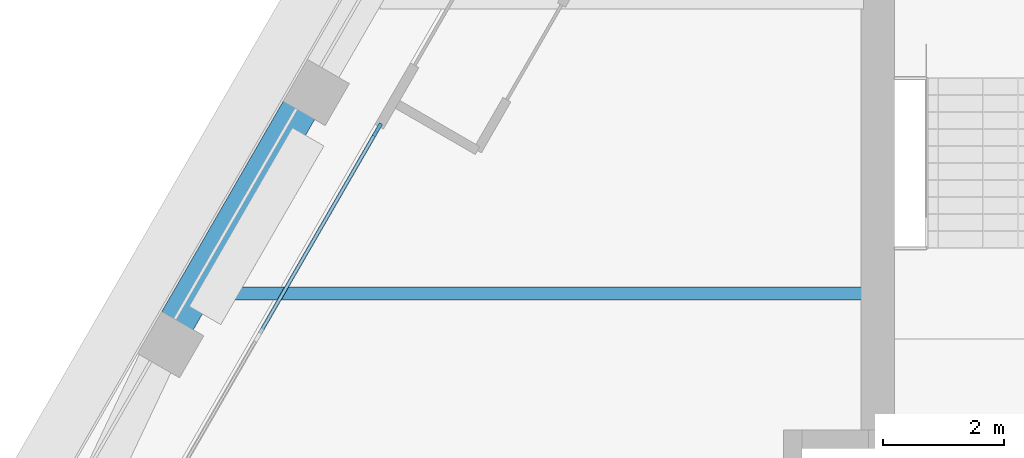
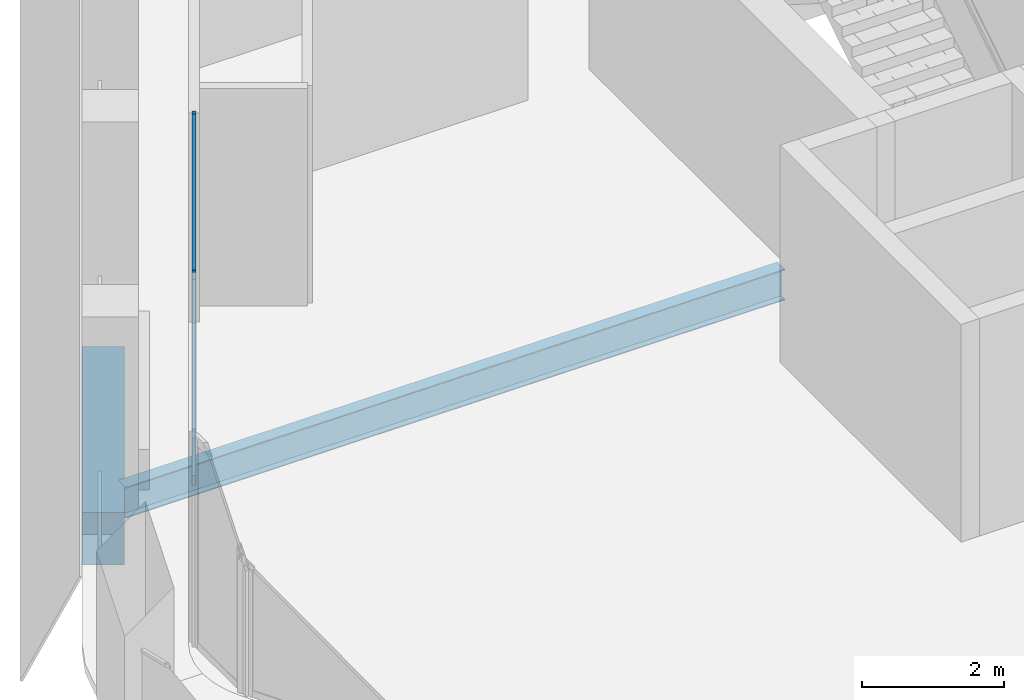
# One storey, part 3 of 14: 3 members, 2 beams, 1 element without a shape of its own.
"""IFC4 building model written with IfcOpenShell, lengths in metres."""

from ifc_helpers import new_model, si_unit, direction, frame, origin, origin_2d, place, context, subcontext, project, spatial, rectangle, i_section, extrude, material, material_profile, profile_set, type_object, element, aggregate, save


model = new_model("IFC4")

# Units and contexts
model_context = context("Model", 3, precision=1e-05, world=origin(), true_north=direction((0.0, 1.0)))
body_context = subcontext(model_context, "Body", "Model", "MODEL_VIEW")
ifc_project = project(units=[si_unit("LENGTHUNIT", "METRE"), si_unit("AREAUNIT", "SQUARE_METRE"), si_unit("VOLUMEUNIT", "CUBIC_METRE"), si_unit("PLANEANGLEUNIT", "RADIAN"), si_unit("MASSUNIT", "GRAM", prefix="KILO")], contexts=[model_context])

# Site, building, storey
site_placement = place(None, origin())
site = spatial("IfcSite", under=ifc_project, at=site_placement, CompositionType="ELEMENT")
building_placement = place(site_placement, origin())
building = spatial("IfcBuilding", under=site, at=building_placement, Name="Kolab Exchange Tower", CompositionType="ELEMENT")
storey_placement = place(building_placement, frame((0.0, 0.0, 281.300048828125)))
storey = spatial("IfcBuildingStorey", under=building, at=storey_placement, Name="L63", CompositionType="ELEMENT", Elevation=281.300048828125)

# Beams
ifc_material_1 = material(Name="Steel S355", Category="steel")
ifc_material_profile_1 = material_profile(ifc_material_1, i_section(OverallWidth=0.208984375, OverallDepth=0.532958984375, WebThickness=0.01025390625, FlangeThickness=0.015625, at=origin_2d()), Name="W530X92")
ifc_profile_set_1 = profile_set([ifc_material_profile_1], Name="Steel S355")
beam_type_1 = type_object("IfcBeamType", Name="FLOOR BEAM W530X92", PredefinedType="BEAM", material=ifc_profile_set_1)
beam_1_placement = place(storey_placement, frame((-20.575927734375, 4.800048828125, -0.41650390625), z_axis=(1.0, 0.0, 0.0), x_axis=(0.0, 1.0, 0.0)))
element("IfcBeam", 1, at=beam_1_placement, inside=storey, type_object=beam_type_1, Name="beam/L63/fr/002", PredefinedType="BEAM", context=body_context, shape_type="SweptSolid", body=[
    extrude(i_section(OverallWidth=0.208984375, OverallDepth=0.532958984375, WebThickness=0.01025390625, FlangeThickness=0.015625, at=origin_2d()), origin(), (0.0, 0.0, 1.0), 10.740966796875),
])
ifc_material_2 = material(Name="Concrete C50/60", Category="concrete")
ifc_material_profile_2 = material_profile(ifc_material_2, rectangle(XDim=0.60009765625, YDim=0.89990234375, at=origin_2d()), Name="RC600X900")
ifc_profile_set_2 = profile_set([ifc_material_profile_2], Name="Concrete C50/60")
beam_type_2 = type_object("IfcBeamType", Name="SPANDREL BEAM 600X900 C50/60", PredefinedType="BEAM", material=ifc_profile_set_2)
beam_2_placement = place(storey_placement, frame((-21.16015625, 4.318603515625, -0.60009765625), z_axis=(0.500000428765, 0.866025156237, 0.0), x_axis=(-0.866025156237, 0.500000428765, 0.0)))
element("IfcBeam", 2, at=beam_2_placement, inside=storey, type_object=beam_type_2, Name="beam/L63/sp/F6-02", PredefinedType="BEAM", context=body_context, shape_type="SweptSolid", body=[
    extrude(rectangle(XDim=0.60009765625, YDim=0.89990234375, at=origin_2d()), origin(), (0.0, 0.0, 1.0), 4.080078125),
])

# Curtain wall, members
ifc_material_3 = material(Name="Aluminium EN AW-6063 T6", Category="aluminium")
curtain_wall_type = type_object("IfcCurtainWallType", Name="UNITISED HIGH ZONE CURTAIN WALL", PredefinedType="NOTDEFINED", material=ifc_material_3)
curtain_wall_placement = place(storey_placement, origin())
curtain_wall = element("IfcCurtainWall", 3, at=curtain_wall_placement, inside=storey, type_object=curtain_wall_type, Name="cw/L63/F6-1", PredefinedType="NOTDEFINED")
ifc_material_profile_3 = material_profile(ifc_material_3, rectangle(XDim=0.06005859375, YDim=0.239990234375, at=origin_2d()), Name="RECT 60X240")
ifc_profile_set_3 = profile_set([ifc_material_profile_3], Name="Aluminium EN AW-6063 T6")
member_type_1 = type_object("IfcMemberType", Name="UNITISED HIGH ZONE MULLION 60 X 240", PredefinedType="MULLION", material=ifc_profile_set_3)
member_1_placement = place(storey_placement, frame((-17.8466796875, 7.497802734375, 0.0), z_axis=(0.0, 0.0, 1.0), x_axis=(-0.866025440524, 0.499999936366, 0.0)))
member_1 = element("IfcMember", 4, at=member_1_placement, type_object=member_type_1, Name="CW4 mullion 3", PredefinedType="MULLION", context=body_context, shape_type="SweptSolid", body=[
    extrude(rectangle(XDim=0.06005859375, YDim=0.239990234375, at=origin_2d()), origin(), (0.0, 0.0, 1.0), 3.599853515625),
])
ifc_material_profile_4 = material_profile(ifc_material_3, rectangle(XDim=0.06005859375, YDim=0.159912109375, at=origin_2d()), Name="RECT 60X160")
ifc_profile_set_4 = profile_set([ifc_material_profile_4], Name="Aluminium EN AW-6063 T6")
member_type_2 = type_object("IfcMemberType", Name="UNITISED HIGH ZONE TRANSOM 60 X 160", PredefinedType="USERDEFINED", material=ifc_profile_set_4)
member_2_placement = place(storey_placement, frame((-19.78369140625, 4.142822265625, 0.030029296875), z_axis=(0.500011990396, 0.866018481016, 0.0), x_axis=(-0.866018481016, 0.500011990396, 0.0)))
member_2 = element("IfcMember", 5, at=member_2_placement, type_object=member_type_2, Name="CW4 transom 2.1", ObjectType="TRANSOM", PredefinedType="USERDEFINED", context=body_context, shape_type="SweptSolid", body=[
    extrude(rectangle(XDim=0.06005859375, YDim=0.159912109375, at=origin_2d()), origin(), (0.0, 0.0, 1.0), 3.84423828125),
])
member_3_placement = place(storey_placement, frame((-19.78369140625, 4.142822265625, 3.570068359375), z_axis=(0.500011990396, 0.866018481016, 0.0), x_axis=(-0.866018481016, 0.500011990396, 0.0)))
member_3 = element("IfcMember", 6, at=member_3_placement, type_object=member_type_2, Name="CW4 transom 2.2", ObjectType="TRANSOM", PredefinedType="USERDEFINED", context=body_context, shape_type="SweptSolid", body=[
    extrude(rectangle(XDim=0.06005859375, YDim=0.159912109375, at=origin_2d()), origin(), (0.0, 0.0, 1.0), 3.84423828125),
])
aggregate(curtain_wall, [member_1, member_2, member_3])

save(model, "model.ifc")
